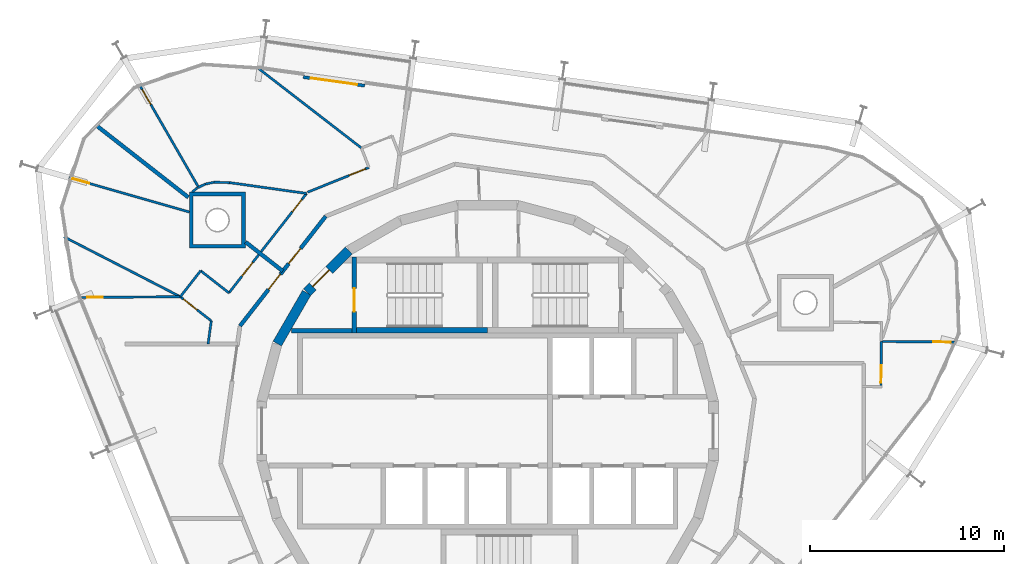
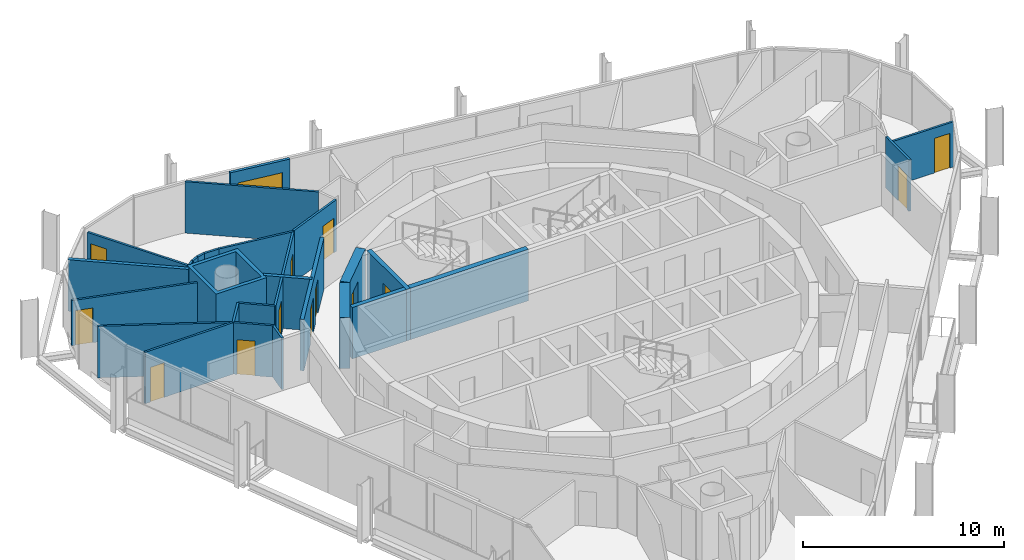
# One storey, part 12 of 15: 28 walls, 14 doors, 14 openings.
"""IFC4 building model written with IfcOpenShell, lengths in metres."""

from ifc_helpers import new_model, si_unit, direction, frame, frame_2d, origin, place, context, subcontext, project, spatial, polyline, rectangle, outline, extrude, material, layer, layer_set, type_object, element, fill, save


model = new_model("IFC4")

# Units and contexts
model_context = context("Model", 3, precision=1e-05, world=origin(), true_north=direction((0.0, 1.0)))
body_context = subcontext(model_context, "Body", "Model", "MODEL_VIEW")
ifc_project = project(units=[si_unit("LENGTHUNIT", "METRE"), si_unit("AREAUNIT", "SQUARE_METRE"), si_unit("VOLUMEUNIT", "CUBIC_METRE"), si_unit("PLANEANGLEUNIT", "RADIAN"), si_unit("MASSUNIT", "GRAM", prefix="KILO")], contexts=[model_context])

# Site, building, storey
site_placement = place(None, origin())
site = spatial("IfcSite", under=ifc_project, at=site_placement, CompositionType="ELEMENT")
building_placement = place(site_placement, origin())
building = spatial("IfcBuilding", under=site, at=building_placement, Name="Spindle Arch Residences", CompositionType="ELEMENT")
storey_placement = place(building_placement, frame((0.0, 0.0, 357.5)))
storey = spatial("IfcBuildingStorey", under=building, at=storey_placement, Name="L92", CompositionType="ELEMENT", Elevation=357.5)

# Wall, opening, door
ifc_material_1 = material(Name="Concrete C50/60", Category="concrete")
ifc_layer_1 = layer(ifc_material_1, 0.5)
ifc_layer_set_1 = layer_set([ifc_layer_1], Name="Core outline wall 500")
wall_type_1 = type_object("IfcWallType", Name="Core outline wall 500", PredefinedType="SHEAR", material=ifc_layer_set_1)
wall_1_placement = place(storey_placement, frame((-7.163818359375, 9.30810546875, 0.0), z_axis=(0.0, 0.0, 1.0), x_axis=(-0.707106781187, -0.707106781187, 0.0)))
wall_1 = element("IfcWall", 1, at=wall_1_placement, inside=storey, type_object=wall_type_1, Name="Core outline wall 15", PredefinedType="SHEAR", context=body_context, shape_type="SweptSolid", body=[
    extrude(rectangle(XDim=3.032470703125, YDim=0.5, at=frame_2d((1.51611328125, 0.0))), origin(), (0.0, 0.0, 1.0), 3.1201171875),
])
opening_1_placement = place(wall_1_placement, frame((1.416259765625, 0.0, 0.0)))
opening_1 = element("IfcOpeningElement", 2, at=opening_1_placement, cuts=wall_1, Name="Opening R9C1-AD02", PredefinedType="OPENING", context=body_context, shape_type="SweptSolid", body=[
    extrude(rectangle(XDim=1.199951171875, YDim=2.10009765625, at=frame_2d((0.60009765625, 1.050048828125))), frame((0.0, 0.260009765625, 0.0), z_axis=(0.0, -1.0, 0.0), x_axis=(1.0, 0.0, 0.0)), (0.0, 0.0, 1.0), 0.52001953125),
])
ifc_material_2 = material(Name="Steel, fire-resisting door", Category="steel")
door_type_1 = type_object("IfcDoorType", Name="Stair airlock door 1200x2100", OperationType="SINGLE_SWING_LEFT", PredefinedType="DOOR", material=ifc_material_2)
door_1_placement = place(opening_1_placement, origin())
door_1 = element("IfcDoor", 3, at=door_1_placement, inside=storey, type_object=door_type_1, Name="Stair airlock door R9C1-AD02", OperationType="SINGLE_SWING_RIGHT", OverallHeight=2.10009765625, OverallWidth=1.199951171875, PredefinedType="DOOR", context=body_context, shape_type="SweptSolid", body=[
    extrude(rectangle(XDim=1.199951171875, YDim=2.10009765625, at=frame_2d((0.60009765625, 1.050048828125))), frame((0.0, 0.02490234375, 0.0), z_axis=(0.0, -1.0, 0.0), x_axis=(1.0, 0.0, 0.0)), (0.0, 0.0, 1.0), 0.050048828125),
])
fill(opening_1, door_1)

# Wall
wall_2_placement = place(storey_placement, frame((-9.32861328125, 7.13671875, 0.0), z_axis=(0.0, 0.0, 1.0), x_axis=(-0.500087131594, -0.865975092491, 0.0)))
element("IfcWall", 4, at=wall_2_placement, inside=storey, type_object=wall_type_1, Name="Core outline wall 16", PredefinedType="SHEAR", context=body_context, shape_type="SweptSolid", body=[
    extrude(rectangle(XDim=3.03271484375, YDim=0.5, at=frame_2d((1.516357421875, 0.0))), origin(), (0.0, 0.0, 1.0), 3.1201171875),
])

# Wall, openings, doors
ifc_material_3 = material(Name="Calcium silicate block, plastered")
ifc_layer_2 = layer(ifc_material_3, 0.199951171875)
ifc_layer_set_2 = layer_set([ifc_layer_2], Name="Corridor wall 200")
wall_type_2 = type_object("IfcWallType", Name="Corridor wall 200", PredefinedType="STANDARD", material=ifc_layer_set_2)
wall_3_placement = place(storey_placement, frame((-8.348876953125, 11.0791015625, 0.0), z_axis=(0.0, 0.0, 1.0), x_axis=(-0.615669112324, -0.78800478687, 0.0)))
wall_3 = element("IfcWall", 5, at=wall_3_placement, inside=storey, type_object=wall_type_2, Name="Corridor wall R9C1-W012", PredefinedType="STANDARD", context=body_context, shape_type="SweptSolid", body=[
    extrude(rectangle(XDim=7.18115234375, YDim=0.199951171875, at=frame_2d((3.590576171875, 0.0))), origin(), (0.0, 0.0, 1.0), 3.1201171875),
])
opening_2_placement = place(wall_3_placement, frame((2.10009765625, 0.0, 0.0)))
opening_2 = element("IfcOpeningElement", 6, at=opening_2_placement, cuts=wall_3, Name="Opening R9C1-FD03", PredefinedType="OPENING", context=body_context, shape_type="SweptSolid", body=[
    extrude(rectangle(XDim=1.0, YDim=2.10009765625, at=frame_2d((0.5, 1.050048828125))), frame((0.0, 0.10986328125, 0.0), z_axis=(0.0, -1.0, 0.0), x_axis=(1.0, 0.0, 0.0)), (0.0, 0.0, 1.0), 0.219970703125),
])
opening_3_placement = place(wall_3_placement, frame((3.790283203125, 0.0, 0.0)))
opening_3 = element("IfcOpeningElement", 7, at=opening_3_placement, cuts=wall_3, Name="Opening R9C1-FD04", PredefinedType="OPENING", context=body_context, shape_type="SweptSolid", body=[
    extrude(rectangle(XDim=1.0, YDim=2.10009765625, at=frame_2d((0.5, 1.050048828125))), frame((0.0, 0.10986328125, 0.0), z_axis=(0.0, -1.0, 0.0), x_axis=(1.0, 0.0, 0.0)), (0.0, 0.0, 1.0), 0.219970703125),
])
ifc_material_4 = material(Name="Timber, fire-resisting door set", Category="wood")
door_type_2 = type_object("IfcDoorType", Name="Flat entrance door 1000x2100", OperationType="NOTDEFINED", PredefinedType="DOOR", material=ifc_material_4)
door_2_placement = place(opening_2_placement, origin())
door_2 = element("IfcDoor", 8, at=door_2_placement, inside=storey, type_object=door_type_2, Name="Flat entrance door R9C1-FD03", OperationType="SINGLE_SWING_RIGHT", OverallHeight=2.10009765625, OverallWidth=1.0, PredefinedType="DOOR", context=body_context, shape_type="SweptSolid", body=[
    extrude(rectangle(XDim=1.0, YDim=2.10009765625, at=frame_2d((0.5, 1.050048828125))), frame((0.0, 0.02490234375, 0.0), z_axis=(0.0, -1.0, 0.0), x_axis=(1.0, 0.0, 0.0)), (0.0, 0.0, 1.0), 0.050048828125),
])
fill(opening_2, door_2)
door_3_placement = place(opening_3_placement, origin())
door_3 = element("IfcDoor", 9, at=door_3_placement, inside=storey, type_object=door_type_2, Name="Flat entrance door R9C1-FD04", OperationType="SINGLE_SWING_LEFT", OverallHeight=2.10009765625, OverallWidth=1.0, PredefinedType="DOOR", context=body_context, shape_type="SweptSolid", body=[
    extrude(rectangle(XDim=1.0, YDim=2.10009765625, at=frame_2d((0.5, 1.050048828125))), frame((0.0, 0.02490234375, 0.0), z_axis=(0.0, -1.0, 0.0), x_axis=(1.0, 0.0, 0.0)), (0.0, 0.0, 1.0), 0.050048828125),
])
fill(opening_3, door_3)

# Wall, opening, door
ifc_material_5 = material(Name="Plasterboard on steel studs", Category="steel")
ifc_layer_3 = layer(ifc_material_5, 0.1201171875)
ifc_layer_set_3 = layer_set([ifc_layer_3], Name="Flat partition 120")
wall_type_3 = type_object("IfcWallType", Name="Flat partition 120", PredefinedType="PARTITIONING", material=ifc_layer_set_3)
wall_4_placement = place(storey_placement, frame((20.285400390625, 2.29296875, 0.0), z_axis=(0.0, 0.0, 1.0), x_axis=(0.008900171034, 0.999960392693, 0.0)))
wall_4 = element("IfcWall", 10, at=wall_4_placement, inside=storey, type_object=wall_type_3, Name="Flat partition R9C1-W030", PredefinedType="PARTITIONING", context=body_context, shape_type="SweptSolid", body=[
    extrude(rectangle(XDim=2.33154296875, YDim=0.1201171875, at=frame_2d((1.165771484375, 0.0))), origin(), (0.0, 0.0, 1.0), 3.1201171875),
])
opening_4_placement = place(wall_4_placement, frame((0.199951171875, 0.0, 0.0)))
opening_4 = element("IfcOpeningElement", 11, at=opening_4_placement, cuts=wall_4, Name="Opening R9C1-ID01", PredefinedType="OPENING", context=body_context, shape_type="SweptSolid", body=[
    extrude(rectangle(XDim=0.89990234375, YDim=2.10009765625, at=frame_2d((0.449951171875, 1.050048828125))), frame((0.0, 0.070068359375, 0.0), z_axis=(0.0, -1.0, 0.0), x_axis=(1.0, 0.0, 0.0)), (0.0, 0.0, 1.0), 0.14013671875),
])
ifc_material_6 = material(Name="Timber door set", Category="wood")
door_type_3 = type_object("IfcDoorType", Name="Room door 900x2100", OperationType="NOTDEFINED", PredefinedType="DOOR", material=ifc_material_6)
door_4_placement = place(opening_4_placement, origin())
door_4 = element("IfcDoor", 12, at=door_4_placement, inside=storey, type_object=door_type_3, Name="Room door R9C1-ID01", OperationType="SINGLE_SWING_RIGHT", OverallHeight=2.10009765625, OverallWidth=0.89990234375, PredefinedType="DOOR", context=body_context, shape_type="SweptSolid", body=[
    extrude(rectangle(XDim=0.89990234375, YDim=2.10009765625, at=frame_2d((0.449951171875, 1.050048828125))), frame((0.0, 0.02490234375, 0.0), z_axis=(0.0, -1.0, 0.0), x_axis=(1.0, 0.0, 0.0)), (0.0, 0.0, 1.0), 0.050048828125),
])
fill(opening_4, door_4)

wall_5_placement = place(storey_placement, frame((-6.1181640625, 13.598388671875, 0.0), z_axis=(0.0, 0.0, 1.0), x_axis=(-0.927163982911, -0.374655773735, 0.0)))
wall_5 = element("IfcWall", 13, at=wall_5_placement, inside=storey, type_object=wall_type_3, Name="Flat partition R9C1-W052", PredefinedType="PARTITIONING", context=body_context, shape_type="SweptSolid", body=[
    extrude(rectangle(XDim=3.4140625, YDim=0.1201171875, at=frame_2d((1.70703125, 0.0))), origin(), (0.0, 0.0, 1.0), 3.1201171875),
])
opening_5_placement = place(wall_5_placement, frame((0.199951171875, 0.0, 0.0)))
opening_5 = element("IfcOpeningElement", 14, at=opening_5_placement, cuts=wall_5, Name="Opening R9C1-ID09", PredefinedType="OPENING", context=body_context, shape_type="SweptSolid", body=[
    extrude(rectangle(XDim=0.89990234375, YDim=2.10009765625, at=frame_2d((0.449951171875, 1.050048828125))), frame((0.0, 0.070068359375, 0.0), z_axis=(0.0, -1.0, 0.0), x_axis=(1.0, 0.0, 0.0)), (0.0, 0.0, 1.0), 0.14013671875),
])
door_5_placement = place(opening_5_placement, origin())
door_5 = element("IfcDoor", 15, at=door_5_placement, inside=storey, type_object=door_type_3, Name="Room door R9C1-ID09", OperationType="SINGLE_SWING_RIGHT", OverallHeight=2.10009765625, OverallWidth=0.89990234375, PredefinedType="DOOR", context=body_context, shape_type="SweptSolid", body=[
    extrude(rectangle(XDim=0.89990234375, YDim=2.10009765625, at=frame_2d((0.449951171875, 1.050048828125))), frame((0.0, 0.02490234375, 0.0), z_axis=(0.0, -1.0, 0.0), x_axis=(1.0, 0.0, 0.0)), (0.0, 0.0, 1.0), 0.050048828125),
])
fill(opening_5, door_5)

# Wall, openings, doors
wall_6_placement = place(storey_placement, frame((-9.33251953125, 12.256591796875, 0.0), z_axis=(0.0, 0.0, 1.0), x_axis=(-0.615643313808, -0.788024942602, 0.0)))
wall_6 = element("IfcWall", 16, at=wall_6_placement, inside=storey, type_object=wall_type_3, Name="Flat partition R9C1-W053", PredefinedType="PARTITIONING", context=body_context, shape_type="SweptSolid", body=[
    extrude(rectangle(XDim=6.50634765625, YDim=0.1201171875, at=frame_2d((3.253173828125, 0.0))), origin(), (0.0, 0.0, 1.0), 3.1201171875),
])
opening_6_placement = place(wall_6_placement, frame((0.39990234375, 0.0, 0.0)))
opening_6 = element("IfcOpeningElement", 17, at=opening_6_placement, cuts=wall_6, Name="Opening R9C1-BD03", PredefinedType="OPENING", context=body_context, shape_type="SweptSolid", body=[
    extrude(rectangle(XDim=0.800048828125, YDim=2.10009765625, at=frame_2d((0.39990234375, 1.050048828125))), frame((0.0, 0.070068359375, 0.0), z_axis=(0.0, -1.0, 0.0), x_axis=(1.0, 0.0, 0.0)), (0.0, 0.0, 1.0), 0.14013671875),
])
opening_7_placement = place(wall_6_placement, frame((4.512451171875, 0.0, 0.0)))
opening_7 = element("IfcOpeningElement", 18, at=opening_7_placement, cuts=wall_6, Name="Opening R9C1-ID11", PredefinedType="OPENING", context=body_context, shape_type="SweptSolid", body=[
    extrude(rectangle(XDim=0.89990234375, YDim=2.10009765625, at=frame_2d((0.449951171875, 1.050048828125))), frame((0.0, 0.070068359375, 0.0), z_axis=(0.0, -1.0, 0.0), x_axis=(1.0, 0.0, 0.0)), (0.0, 0.0, 1.0), 0.14013671875),
])
ifc_material_7 = material(Name="Timber door set", Category="wood")
door_type_4 = type_object("IfcDoorType", Name="Bathroom door 800x2100", OperationType="NOTDEFINED", PredefinedType="DOOR", material=ifc_material_7)
door_6_placement = place(opening_6_placement, origin())
door_6 = element("IfcDoor", 19, at=door_6_placement, inside=storey, type_object=door_type_4, Name="Bathroom door R9C1-BD03", OperationType="SINGLE_SWING_RIGHT", OverallHeight=2.10009765625, OverallWidth=0.800048828125, PredefinedType="DOOR", context=body_context, shape_type="SweptSolid", body=[
    extrude(rectangle(XDim=0.800048828125, YDim=2.10009765625, at=frame_2d((0.39990234375, 1.050048828125))), frame((0.0, 0.02490234375, 0.0), z_axis=(0.0, -1.0, 0.0), x_axis=(1.0, 0.0, 0.0)), (0.0, 0.0, 1.0), 0.050048828125),
])
fill(opening_6, door_6)
door_7_placement = place(opening_7_placement, origin())
door_7 = element("IfcDoor", 20, at=door_7_placement, inside=storey, type_object=door_type_3, Name="Room door R9C1-ID11", OperationType="SINGLE_SWING_LEFT", OverallHeight=2.10009765625, OverallWidth=0.89990234375, PredefinedType="DOOR", context=body_context, shape_type="SweptSolid", body=[
    extrude(rectangle(XDim=0.89990234375, YDim=2.10009765625, at=frame_2d((0.449951171875, 1.050048828125))), frame((0.0, 0.02490234375, 0.0), z_axis=(0.0, -1.0, 0.0), x_axis=(1.0, 0.0, 0.0)), (0.0, 0.0, 1.0), 0.050048828125),
])
fill(opening_7, door_7)

# Walls
wall_7_placement = place(storey_placement, frame((-11.80322265625, 18.693115234375, 0.0), z_axis=(0.0, 0.0, 1.0), x_axis=(0.791388468332, -0.611313579262, 0.0)))
element("IfcWall", 21, at=wall_7_placement, inside=storey, type_object=wall_type_3, Name="Flat partition R9C1-W054", PredefinedType="PARTITIONING", context=body_context, shape_type="SweptSolid", body=[
    extrude(rectangle(XDim=6.693359375, YDim=0.1201171875, at=frame_2d((3.3466796875, 0.0))), origin(), (0.0, 0.0, 1.0), 3.1201171875),
])
wall_8_placement = place(storey_placement, frame((-14.941162109375, 12.556884765625, 0.0), z_axis=(0.0, 0.0, 1.0), x_axis=(0.903749522455, 0.428061678572, 0.0)))
element("IfcWall", 22, at=wall_8_placement, inside=storey, type_object=wall_type_3, Name="Flat partition R9C1-W055", PredefinedType="PARTITIONING", context=body_context, shape_type="SweptSolid", body=[
    extrude(rectangle(XDim=0.425537109375, YDim=0.1201171875, at=frame_2d((0.212890625, 0.0))), origin(), (0.0, 0.0, 1.0), 3.1201171875),
])
wall_9_placement = place(storey_placement, frame((-14.556640625, 12.739013671875, 0.0), z_axis=(0.0, 0.0, 1.0), x_axis=(0.978201106396, 0.207659807008, 0.0)))
element("IfcWall", 23, at=wall_9_placement, inside=storey, type_object=wall_type_3, Name="Flat partition R9C1-W056", PredefinedType="PARTITIONING", context=body_context, shape_type="SweptSolid", body=[
    extrude(rectangle(XDim=0.455078125, YDim=0.1201171875, at=frame_2d((0.2275390625, 0.0))), origin(), (0.0, 0.0, 1.0), 3.1201171875),
])
wall_10_placement = place(storey_placement, frame((-14.111572265625, 12.83349609375, 0.0), z_axis=(0.0, 0.0, 1.0), x_axis=(0.999735389157, -0.023003296874, 0.0)))
element("IfcWall", 24, at=wall_10_placement, inside=storey, type_object=wall_type_3, Name="Flat partition R9C1-W057", PredefinedType="PARTITIONING", context=body_context, shape_type="SweptSolid", body=[
    extrude(rectangle(XDim=0.806640625, YDim=0.1201171875, at=frame_2d((0.4033203125, 0.0))), origin(), (0.0, 0.0, 1.0), 3.1201171875),
])
wall_11_placement = place(storey_placement, frame((-13.30517578125, 12.81494140625, 0.0), z_axis=(0.0, 0.0, 1.0), x_axis=(0.990267066123, -0.139180234773, 0.0)))
element("IfcWall", 25, at=wall_11_placement, inside=storey, type_object=wall_type_3, Name="Flat partition R9C1-W058", PredefinedType="PARTITIONING", context=body_context, shape_type="SweptSolid", body=[
    extrude(rectangle(XDim=4.01171875, YDim=0.1201171875, at=frame_2d((2.005859375, 0.0))), origin(), (0.0, 0.0, 1.0), 3.1201171875),
])
wall_12_placement = place(storey_placement, frame((-14.9677734375, 12.54443359375, 0.0), z_axis=(0.0, 0.0, 1.0), x_axis=(-0.780727997402, -0.62487102195, 0.0)))
element("IfcWall", 26, at=wall_12_placement, inside=storey, type_object=wall_type_3, Name="Flat partition R9C1-W060", PredefinedType="PARTITIONING", context=body_context, shape_type="SweptSolid", body=[
    extrude(rectangle(XDim=0.33837890625, YDim=0.1201171875, at=frame_2d((0.169189453125, 0.0))), origin(), (0.0, 0.0, 1.0), 3.1201171875),
])
wall_13_placement = place(storey_placement, frame((-13.338134765625, 7.12939453125, 0.0), z_axis=(0.0, 0.0, 1.0), x_axis=(-0.787938483233, 0.615753965997, 0.0)))
element("IfcWall", 27, at=wall_13_placement, inside=storey, type_object=wall_type_3, Name="Flat partition R9C1-W061", PredefinedType="PARTITIONING", context=body_context, shape_type="SweptSolid", body=[
    extrude(rectangle(XDim=1.853271484375, YDim=0.1201171875, at=frame_2d((0.9267578125, 0.0))), origin(), (0.0, 0.0, 1.0), 3.1201171875),
])
wall_14_placement = place(storey_placement, frame((-14.79833984375, 8.2705078125, 0.0), z_axis=(0.0, 0.0, 1.0), x_axis=(-0.615669123866, -0.788004777852, 0.0)))
element("IfcWall", 28, at=wall_14_placement, inside=storey, type_object=wall_type_3, Name="Flat partition R9C1-W062", PredefinedType="PARTITIONING", context=body_context, shape_type="SweptSolid", body=[
    extrude(rectangle(XDim=1.699951171875, YDim=0.1201171875, at=frame_2d((0.85009765625, 0.0))), origin(), (0.0, 0.0, 1.0), 3.1201171875),
])

# Wall, opening, door
wall_15_placement = place(storey_placement, frame((-15.844970703125, 6.930908203125, 0.0), z_axis=(0.0, 0.0, 1.0), x_axis=(0.787962283792, -0.615723508827, 0.0)))
wall_15 = element("IfcWall", 29, at=wall_15_placement, inside=storey, type_object=wall_type_3, Name="Flat partition R9C1-W063", PredefinedType="PARTITIONING", context=body_context, shape_type="SweptSolid", body=[
    extrude(rectangle(XDim=2.02685546875, YDim=0.1201171875, at=frame_2d((1.013427734375, 0.0))), origin(), (0.0, 0.0, 1.0), 3.1201171875),
])
opening_8_placement = place(wall_15_placement, frame((0.199951171875, 0.0, 0.0)))
opening_8 = element("IfcOpeningElement", 30, at=opening_8_placement, cuts=wall_15, Name="Opening R9C1-ID12", PredefinedType="OPENING", context=body_context, shape_type="SweptSolid", body=[
    extrude(rectangle(XDim=0.89990234375, YDim=2.10009765625, at=frame_2d((0.449951171875, 1.050048828125))), frame((0.0, 0.070068359375, 0.0), z_axis=(0.0, -1.0, 0.0), x_axis=(1.0, 0.0, 0.0)), (0.0, 0.0, 1.0), 0.14013671875),
])
door_8_placement = place(opening_8_placement, origin())
door_8 = element("IfcDoor", 31, at=door_8_placement, inside=storey, type_object=door_type_3, Name="Room door R9C1-ID12", OperationType="SINGLE_SWING_LEFT", OverallHeight=2.10009765625, OverallWidth=0.89990234375, PredefinedType="DOOR", context=body_context, shape_type="SweptSolid", body=[
    extrude(rectangle(XDim=0.89990234375, YDim=2.10009765625, at=frame_2d((0.449951171875, 1.050048828125))), frame((0.0, 0.02490234375, 0.0), z_axis=(0.0, -1.0, 0.0), x_axis=(1.0, 0.0, 0.0)), (0.0, 0.0, 1.0), 0.050048828125),
])
fill(opening_8, door_8)

# Walls
wall_16_placement = place(storey_placement, frame((-14.247802734375, 5.682861328125, 0.0), z_axis=(0.0, 0.0, 1.0), x_axis=(-0.139189066398, -0.990265824814, 0.0)))
element("IfcWall", 32, at=wall_16_placement, inside=storey, type_object=wall_type_3, Name="Flat partition R9C1-W064", PredefinedType="PARTITIONING", context=body_context, shape_type="SweptSolid", body=[
    extrude(rectangle(XDim=1.194580078125, YDim=0.1201171875, at=frame_2d((0.59716796875, 0.0))), origin(), (0.0, 0.0, 1.0), 3.1201171875),
])
wall_17_placement = place(storey_placement, frame((-21.85009765625, 10.021484375, 0.0), z_axis=(0.0, 0.0, 1.0), x_axis=(0.889153763622, -0.457608549567, 0.0)))
element("IfcWall", 33, at=wall_17_placement, inside=storey, type_object=wall_type_3, Name="Flat partition R9C1-W066", PredefinedType="PARTITIONING", context=body_context, shape_type="SweptSolid", body=[
    extrude(rectangle(XDim=6.753662109375, YDim=0.1201171875, at=frame_2d((3.376953125, 0.0))), origin(), (0.0, 0.0, 1.0), 3.1201171875),
])

# Wall, opening, door
wall_18_placement = place(storey_placement, frame((-20.945556640625, 6.892333984375, 0.0), z_axis=(0.0, 0.0, 1.0), x_axis=(0.999971403985, 0.007562487164, 0.0)))
wall_18 = element("IfcWall", 34, at=wall_18_placement, inside=storey, type_object=wall_type_3, Name="Flat partition R9C1-W067", PredefinedType="PARTITIONING", context=body_context, shape_type="SweptSolid", body=[
    extrude(rectangle(XDim=5.100830078125, YDim=0.1201171875, at=frame_2d((2.55029296875, 0.0))), origin(), (0.0, 0.0, 1.0), 3.1201171875),
])
opening_9_placement = place(wall_18_placement, frame((0.300048828125, 0.0, 0.0)))
opening_9 = element("IfcOpeningElement", 35, at=opening_9_placement, cuts=wall_18, Name="Opening R9C1-BD04", PredefinedType="OPENING", context=body_context, shape_type="SweptSolid", body=[
    extrude(rectangle(XDim=0.800048828125, YDim=2.10009765625, at=frame_2d((0.39990234375, 1.050048828125))), frame((0.0, 0.070068359375, 0.0), z_axis=(0.0, -1.0, 0.0), x_axis=(1.0, 0.0, 0.0)), (0.0, 0.0, 1.0), 0.14013671875),
])
door_9_placement = place(opening_9_placement, origin())
door_9 = element("IfcDoor", 36, at=door_9_placement, inside=storey, type_object=door_type_4, Name="Bathroom door R9C1-BD04", OperationType="SINGLE_SWING_LEFT", OverallHeight=2.10009765625, OverallWidth=0.800048828125, PredefinedType="DOOR", context=body_context, shape_type="SweptSolid", body=[
    extrude(rectangle(XDim=0.800048828125, YDim=2.10009765625, at=frame_2d((0.39990234375, 1.050048828125))), frame((0.0, 0.02490234375, 0.0), z_axis=(0.0, -1.0, 0.0), x_axis=(1.0, 0.0, 0.0)), (0.0, 0.0, 1.0), 0.050048828125),
])
fill(opening_9, door_9)

ifc_material_8 = material(Name="Plasterboard on steel studs", Category="steel")
ifc_layer_4 = layer(ifc_material_8, 0.1201171875)
ifc_layer_set_4 = layer_set([ifc_layer_4], Name="Flat partition 120 under beam 2730")
wall_type_4 = type_object("IfcWallType", Name="Flat partition 120 under beam 2730", PredefinedType="PARTITIONING", material=ifc_layer_set_4)
wall_19_placement = place(storey_placement, frame((24.084716796875, 4.5908203125, 0.0), z_axis=(0.0, 0.0, 1.0), x_axis=(-0.99996025077, 0.008916102255, 0.0)))
wall_19 = element("IfcWall", 37, at=wall_19_placement, inside=storey, type_object=wall_type_4, Name="Flat partition R9C1-W033", PredefinedType="PARTITIONING", context=body_context, shape_type="SweptSolid", body=[
    extrude(rectangle(XDim=3.77880859375, YDim=0.1201171875, at=frame_2d((1.889404296875, 0.0))), origin(), (0.0, 0.0, 1.0), 2.72998046875),
])
opening_10_placement = place(wall_19_placement, frame((0.199951171875, 0.0, 0.0)))
opening_10 = element("IfcOpeningElement", 38, at=opening_10_placement, cuts=wall_19, Name="Opening R9C1-ID03", PredefinedType="OPENING", context=body_context, shape_type="SweptSolid", body=[
    extrude(rectangle(XDim=0.89990234375, YDim=2.10009765625, at=frame_2d((0.449951171875, 1.050048828125))), frame((0.0, 0.070068359375, 0.0), z_axis=(0.0, -1.0, 0.0), x_axis=(1.0, 0.0, 0.0)), (0.0, 0.0, 1.0), 0.14013671875),
])
door_10_placement = place(opening_10_placement, origin())
door_10 = element("IfcDoor", 39, at=door_10_placement, inside=storey, type_object=door_type_3, Name="Room door R9C1-ID03", OperationType="SINGLE_SWING_RIGHT", OverallHeight=2.10009765625, OverallWidth=0.89990234375, PredefinedType="DOOR", context=body_context, shape_type="SweptSolid", body=[
    extrude(rectangle(XDim=0.89990234375, YDim=2.10009765625, at=frame_2d((0.449951171875, 1.050048828125))), frame((0.0, 0.02490234375, 0.0), z_axis=(0.0, -1.0, 0.0), x_axis=(1.0, 0.0, 0.0)), (0.0, 0.0, 1.0), 0.050048828125),
])
fill(opening_10, door_10)

wall_20_placement = place(storey_placement, frame((-17.912353515625, 17.788818359375, 0.0), z_axis=(0.0, 0.0, 1.0), x_axis=(0.499615949423, -0.866247021976, 0.0)))
wall_20 = element("IfcWall", 40, at=wall_20_placement, inside=storey, type_object=wall_type_4, Name="Flat partition R9C1-W059", PredefinedType="PARTITIONING", context=body_context, shape_type="SweptSolid", body=[
    extrude(rectangle(XDim=6.019775390625, YDim=0.1201171875, at=frame_2d((3.009765625, 0.0))), origin(), (0.0, 0.0, 1.0), 2.72998046875),
])
opening_11_placement = place(wall_20_placement, frame((0.199951171875, 0.0, 0.0)))
opening_11 = element("IfcOpeningElement", 41, at=opening_11_placement, cuts=wall_20, Name="Opening R9C1-ID10", PredefinedType="OPENING", context=body_context, shape_type="SweptSolid", body=[
    extrude(rectangle(XDim=0.89990234375, YDim=2.10009765625, at=frame_2d((0.449951171875, 1.050048828125))), frame((0.0, 0.070068359375, 0.0), z_axis=(0.0, -1.0, 0.0), x_axis=(1.0, 0.0, 0.0)), (0.0, 0.0, 1.0), 0.14013671875),
])
door_11_placement = place(opening_11_placement, origin())
door_11 = element("IfcDoor", 42, at=door_11_placement, inside=storey, type_object=door_type_3, Name="Room door R9C1-ID10", OperationType="SINGLE_SWING_RIGHT", OverallHeight=2.10009765625, OverallWidth=0.89990234375, PredefinedType="DOOR", context=body_context, shape_type="SweptSolid", body=[
    extrude(rectangle(XDim=0.89990234375, YDim=2.10009765625, at=frame_2d((0.449951171875, 1.050048828125))), frame((0.0, 0.02490234375, 0.0), z_axis=(0.0, -1.0, 0.0), x_axis=(1.0, 0.0, 0.0)), (0.0, 0.0, 1.0), 0.050048828125),
])
fill(opening_11, door_11)

wall_21_placement = place(storey_placement, frame((-21.59375, 13.076904296875, 0.0), z_axis=(0.0, 0.0, 1.0), x_axis=(0.961389857774, -0.275190009576, 0.0)))
wall_21 = element("IfcWall", 43, at=wall_21_placement, inside=storey, type_object=wall_type_4, Name="Flat partition R9C1-W065", PredefinedType="PARTITIONING", context=body_context, shape_type="SweptSolid", body=[
    extrude(rectangle(XDim=6.4638671875, YDim=0.1201171875, at=frame_2d((3.23193359375, 0.0))), origin(), (0.0, 0.0, 1.0), 2.72998046875),
])
opening_12_placement = place(wall_21_placement, frame((0.199951171875, 0.0, 0.0)))
opening_12 = element("IfcOpeningElement", 44, at=opening_12_placement, cuts=wall_21, Name="Opening R9C1-ID13", PredefinedType="OPENING", context=body_context, shape_type="SweptSolid", body=[
    extrude(rectangle(XDim=0.89990234375, YDim=2.10009765625, at=frame_2d((0.449951171875, 1.050048828125))), frame((0.0, 0.070068359375, 0.0), z_axis=(0.0, -1.0, 0.0), x_axis=(1.0, 0.0, 0.0)), (0.0, 0.0, 1.0), 0.14013671875),
])
door_12_placement = place(opening_12_placement, origin())
door_12 = element("IfcDoor", 45, at=door_12_placement, inside=storey, type_object=door_type_3, Name="Room door R9C1-ID13", OperationType="SINGLE_SWING_LEFT", OverallHeight=2.10009765625, OverallWidth=0.89990234375, PredefinedType="DOOR", context=body_context, shape_type="SweptSolid", body=[
    extrude(rectangle(XDim=0.89990234375, YDim=2.10009765625, at=frame_2d((0.449951171875, 1.050048828125))), frame((0.0, 0.02490234375, 0.0), z_axis=(0.0, -1.0, 0.0), x_axis=(1.0, 0.0, 0.0)), (0.0, 0.0, 1.0), 0.050048828125),
])
fill(opening_12, door_12)

# Walls
ifc_material_9 = material(Name="Calcium silicate block, plastered")
ifc_layer_5 = layer(ifc_material_9, 0.199951171875)
ifc_layer_set_5 = layer_set([ifc_layer_5], Name="Flat party wall 200")
wall_type_5 = type_object("IfcWallType", Name="Flat party wall 200", PredefinedType="STANDARD", material=ifc_layer_set_5)
wall_22_placement = place(storey_placement, frame((-12.4794921875, 9.75, 0.0), z_axis=(0.0, 0.0, 1.0), x_axis=(0.788050197026, -0.615610986717, 0.0)))
element("IfcWall", 46, at=wall_22_placement, inside=storey, type_object=wall_type_5, Name="Flat party wall R9C1-W025", PredefinedType="STANDARD", context=body_context, shape_type="SweptSolid", body=[
    extrude(rectangle(XDim=2.4365234375, YDim=0.199951171875, at=frame_2d((1.21826171875, 0.0))), origin(), (0.0, 0.0, 1.0), 3.1201171875),
])
wall_23_placement = place(storey_placement, frame((-20.19091796875, 15.77490234375, 0.0), z_axis=(0.0, 0.0, 1.0), x_axis=(0.788013955741, -0.615657376758, 0.0)))
element("IfcWall", 47, at=wall_23_placement, inside=storey, type_object=wall_type_5, Name="Flat party wall R9C1-W026", PredefinedType="STANDARD", context=body_context, shape_type="SweptSolid", body=[
    extrude(rectangle(XDim=6.039794921875, YDim=0.199951171875, at=frame_2d((3.02001953125, 0.0))), origin(), (0.0, 0.0, 1.0), 3.1201171875),
])

# Wall, opening, door
ifc_material_10 = material(Name="Non-combustible mineral wool insulated aluminium faced external wall (K0)", Category="aluminium")
ifc_layer_6 = layer(ifc_material_10, 0.159912109375)
ifc_layer_set_6 = layer_set([ifc_layer_6], Name="Insulated external wall panel 160")
wall_type_6 = type_object("IfcWallType", Name="Insulated external wall panel 160", PredefinedType="STANDARD", material=ifc_layer_set_6)
wall_24_placement = place(storey_placement, frame((-6.336669921875, 17.813720703125, 0.0), z_axis=(0.0, 0.0, 1.0), x_axis=(-0.99026890462, 0.13916715325, 0.0)))
wall_24 = element("IfcWall", 48, at=wall_24_placement, inside=storey, type_object=wall_type_6, Name="External wall L92 bay 8", PredefinedType="STANDARD", context=body_context, shape_type="SweptSolid", body=[
    extrude(rectangle(XDim=3.199951171875, YDim=0.159912109375, at=frame_2d((1.60009765625, 0.0))), origin(), (0.0, 0.0, 1.0), 3.1201171875),
])
opening_13_placement = place(wall_24_placement, frame((0.39990234375, 0.0, 0.0)))
opening_13 = element("IfcOpeningElement", 49, at=opening_13_placement, cuts=wall_24, Name="Opening BD08", PredefinedType="OPENING", context=body_context, shape_type="SweptSolid", body=[
    extrude(rectangle(XDim=2.39990234375, YDim=2.39990234375, at=frame_2d((1.199951171875, 1.199951171875))), frame((0.0, 0.08984375, 0.0), z_axis=(0.0, -1.0, 0.0), x_axis=(1.0, 0.0, 0.0)), (0.0, 0.0, 1.0), 0.179931640625),
])
ifc_material_11 = material(Name="Bronze aluminium frame, tinted double glazing", Category="aluminium")
door_type_5 = type_object("IfcDoorType", Name="Sliding glazed balcony door 2400x2400", OperationType="DOUBLE_DOOR_SLIDING", PredefinedType="DOOR", material=ifc_material_11)
door_13_placement = place(opening_13_placement, origin())
door_13 = element("IfcDoor", 50, at=door_13_placement, inside=storey, type_object=door_type_5, Name="Balcony door BD08", OperationType="DOUBLE_DOOR_SLIDING", OverallHeight=2.39990234375, OverallWidth=2.39990234375, PredefinedType="DOOR", context=body_context, shape_type="SweptSolid", body=[
    extrude(rectangle(XDim=2.39990234375, YDim=2.39990234375, at=frame_2d((1.199951171875, 1.199951171875))), frame((0.0, 0.02490234375, 0.0), z_axis=(0.0, -1.0, 0.0), x_axis=(1.0, 0.0, 0.0)), (0.0, 0.0, 1.0), 0.050048828125),
])
fill(opening_13, door_13)

# Walls
ifc_material_12 = material(Name="Calcium silicate block, plastered")
ifc_layer_7 = layer(ifc_material_12, 0.199951171875)
ifc_layer_set_7 = layer_set([ifc_layer_7], Name="Mega-column casing wall 200")
wall_type_7 = type_object("IfcWallType", Name="Mega-column casing wall 200", PredefinedType="STANDARD", material=ifc_layer_set_7)
wall_25_placement = place(storey_placement, origin())
element("IfcWall", 51, at=wall_25_placement, inside=storey, type_object=wall_type_7, Name="Mega-column casing wall R9C1-WC02", PredefinedType="STANDARD", context=body_context, shape_type="SweptSolid", body=[
    extrude(outline(polyline([(-12.4794921875, 12.3330078125), (-12.4794921875, 9.43310546875), (-15.37939453125, 9.43310546875), (-15.37939453125, 12.3330078125), (-12.4794921875, 12.3330078125)]), holes=[polyline([(-15.179443359375, 9.633056640625), (-12.679443359375, 9.633056640625), (-12.679443359375, 12.133056640625), (-15.179443359375, 12.133056640625), (-15.179443359375, 9.633056640625)])]), origin(), (0.0, 0.0, 1.0), 3.1201171875),
])
ifc_material_13 = material(Name="Concrete C40/50", Category="concrete")
ifc_layer_8 = layer(ifc_material_13, 0.25)
ifc_layer_set_8 = layer_set([ifc_layer_8], Name="Stair airlock wall 250")
wall_type_8 = type_object("IfcWallType", Name="Stair airlock wall 250", PredefinedType="SHEAR", material=ifc_layer_set_8)
wall_26_placement = place(storey_placement, frame((-7.0, 5.175048828125, 0.0), z_axis=(0.0, 0.0, 1.0), x_axis=(-1.0, 0.0, 0.0)))
element("IfcWall", 52, at=wall_26_placement, inside=storey, type_object=wall_type_8, Name="Stair ST-2 airlock wall S", PredefinedType="SHEAR", context=body_context, shape_type="SweptSolid", body=[
    extrude(rectangle(XDim=3.10009765625, YDim=0.25, at=frame_2d((1.550048828125, 0.0))), origin(), (0.0, 0.0, 1.0), 3.1201171875),
])

# Wall, opening, door
ifc_material_14 = material(Name="Concrete C50/60", Category="concrete")
ifc_layer_9 = layer(ifc_material_14, 0.25)
ifc_layer_set_9 = layer_set([ifc_layer_9], Name="Stair enclosure wall 250")
wall_type_9 = type_object("IfcWallType", Name="Stair enclosure wall 250", PredefinedType="SHEAR", material=ifc_layer_set_9)
wall_27_placement = place(storey_placement, frame((-6.875, 8.969970703125, 0.0), z_axis=(0.0, 0.0, 1.0), x_axis=(0.0, -1.0, 0.0)))
wall_27 = element("IfcWall", 53, at=wall_27_placement, inside=storey, type_object=wall_type_9, Name="Stair ST-2 door wall", PredefinedType="SHEAR", context=body_context, shape_type="SweptSolid", body=[
    extrude(rectangle(XDim=3.919921875, YDim=0.25, at=frame_2d((1.9599609375, 0.0))), origin(), (0.0, 0.0, 1.0), 3.1201171875),
])
opening_14_placement = place(wall_27_placement, frame((1.610107421875, 0.0, 0.0)))
opening_14 = element("IfcOpeningElement", 54, at=opening_14_placement, cuts=wall_27, Name="Opening R9C1-SD02", PredefinedType="OPENING", context=body_context, shape_type="SweptSolid", body=[
    extrude(rectangle(XDim=1.199951171875, YDim=2.10009765625, at=frame_2d((0.60009765625, 1.050048828125))), frame((0.0, 0.135009765625, 0.0), z_axis=(0.0, -1.0, 0.0), x_axis=(1.0, 0.0, 0.0)), (0.0, 0.0, 1.0), 0.27001953125),
])
ifc_material_15 = material(Name="Steel, fire-resisting door", Category="steel")
door_type_6 = type_object("IfcDoorType", Name="Stair door 1200x2100", OperationType="SINGLE_SWING_RIGHT", PredefinedType="DOOR", material=ifc_material_15)
door_14_placement = place(opening_14_placement, origin())
door_14 = element("IfcDoor", 55, at=door_14_placement, inside=storey, type_object=door_type_6, Name="Stair door R9C1-SD02", OperationType="SINGLE_SWING_LEFT", OverallHeight=2.10009765625, OverallWidth=1.199951171875, PredefinedType="DOOR", context=body_context, shape_type="SweptSolid", body=[
    extrude(rectangle(XDim=1.199951171875, YDim=2.10009765625, at=frame_2d((0.60009765625, 1.050048828125))), frame((0.0, 0.02490234375, 0.0), z_axis=(0.0, -1.0, 0.0), x_axis=(1.0, 0.0, 0.0)), (0.0, 0.0, 1.0), 0.050048828125),
])
fill(opening_14, door_14)

# Wall
ifc_material_16 = material(Name="Concrete C50/60", Category="concrete")
ifc_layer_10 = layer(ifc_material_16, 0.300048828125)
ifc_layer_set_10 = layer_set([ifc_layer_10], Name="Stair enclosure wall 300")
wall_type_10 = type_object("IfcWallType", Name="Stair enclosure wall 300", PredefinedType="SHEAR", material=ifc_layer_set_10)
wall_28_placement = place(storey_placement, frame((-6.75, 5.199951171875, 0.0), z_axis=(0.0, 0.0, 1.0), x_axis=(1.0, 0.0, 0.0)))
element("IfcWall", 56, at=wall_28_placement, inside=storey, type_object=wall_type_10, Name="Stair ST-2 enclosure wall S", PredefinedType="SHEAR", context=body_context, shape_type="SweptSolid", body=[
    extrude(rectangle(XDim=6.75, YDim=0.300048828125, at=frame_2d((3.375, 0.0))), origin(), (0.0, 0.0, 1.0), 3.1201171875),
])

save(model, "model.ifc")
